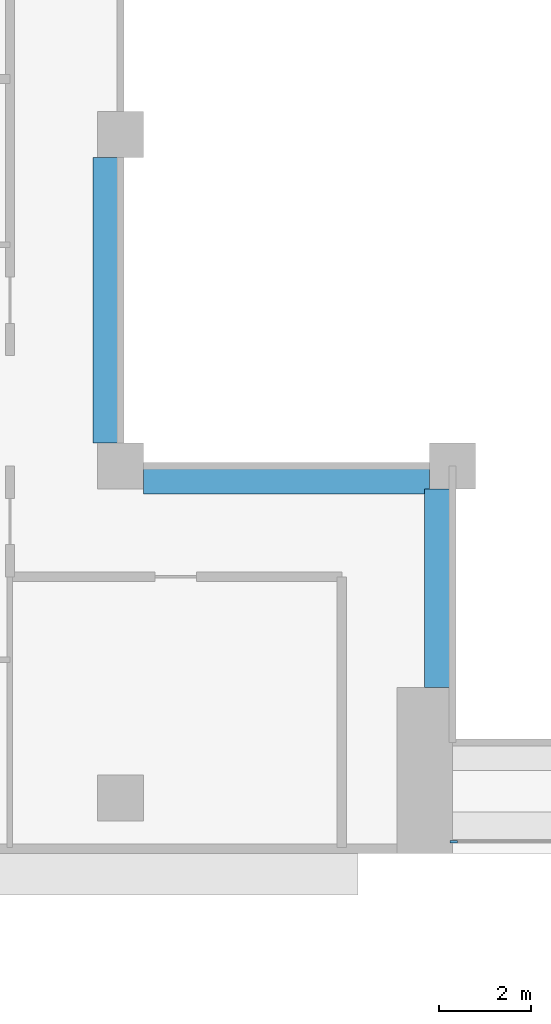
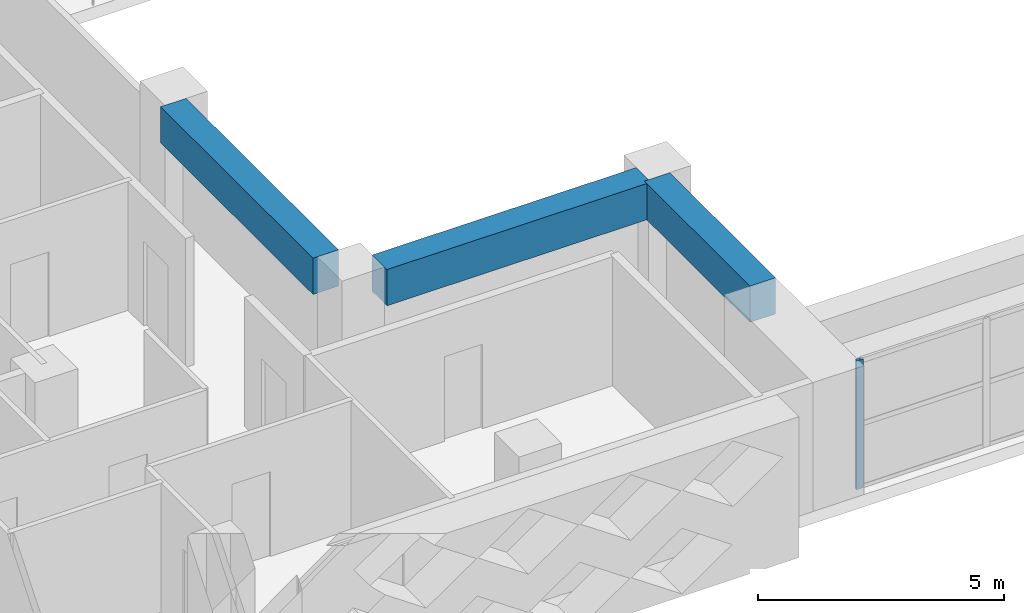
# One storey, part 2 of 19: 3 beams, 1 member, 1 element without a shape of its own.
"""IFC4 building model written with IfcOpenShell, lengths in metres."""

from ifc_helpers import new_model, si_unit, direction, frame, origin, origin_2d, place, context, subcontext, project, spatial, rectangle, extrude, source, transform, mapped, material, layer, layer_set, material_profile, profile_set, type_object, element, aggregate, save


model = new_model("IFC4")

# Units and contexts
model_context = context("Model", 3, precision=1e-05, world=origin(), true_north=direction((0.0, 1.0)))
body_context = subcontext(model_context, "Body", "Model", "MODEL_VIEW")
ifc_project = project(units=[si_unit("LENGTHUNIT", "METRE"), si_unit("AREAUNIT", "SQUARE_METRE"), si_unit("VOLUMEUNIT", "CUBIC_METRE"), si_unit("PLANEANGLEUNIT", "RADIAN"), si_unit("MASSUNIT", "GRAM", prefix="KILO")], contexts=[model_context])

# Site, building, storey
site_placement = place(None, origin())
site = spatial("IfcSite", under=ifc_project, at=site_placement, CompositionType="ELEMENT")
building_placement = place(site_placement, origin())
building = spatial("IfcBuilding", under=site, at=building_placement, Name="Saffron Iwan Residences", CompositionType="ELEMENT")
storey_placement = place(building_placement, frame((0.0, 0.0, 160.5)))
storey = spatial("IfcBuildingStorey", under=building, at=storey_placement, Name="L42", CompositionType="ELEMENT", Elevation=160.5)

# Beams
ifc_material_1 = material(Name="Concrete C50/60", Category="concrete")
ifc_material_profile_1 = material_profile(ifc_material_1, rectangle(XDim=0.60009765625, YDim=0.89990234375, at=origin_2d()), Name="RC 600x900")
ifc_profile_set_1 = profile_set([ifc_material_profile_1], Name="Concrete C50/60")
beam_type = type_object("IfcBeamType", Name="BEAM RC 600x900 C50/60 TOP 3200", PredefinedType="BEAM", material=ifc_profile_set_1)
shared_shape_1 = source(origin(), body_context, "Body", "SweptSolid", [
    extrude(rectangle(XDim=0.60009765625, YDim=0.89990234375, at=origin_2d()), origin(), (0.0, 0.0, 1.0), 4.300048828125),
])
beam_placement = place(storey_placement, frame((42.89990234375, 43.199951171875, 2.75), z_axis=(0.0, 1.0, 0.0), x_axis=(-1.0, 0.0, 0.0)))
element("IfcBeam", 1, at=beam_placement, inside=storey, type_object=beam_type, Name="Atrium edge beam", PredefinedType="BEAM", context=body_context, shape_type="MappedRepresentation", body=[
    mapped(shared_shape_1, transform((0.0, 0.0, 0.0))),
])
shared_shape_2 = source(origin(), body_context, "Body", "SweptSolid", [
    extrude(rectangle(XDim=0.60009765625, YDim=0.89990234375, at=origin_2d()), origin(), (0.0, 0.0, 1.0), 6.199951171875),
])
for number, where, z_axis, x_axis, name in (
    (2, (42.699951171875, 47.699951171875, 2.75), (-1.0, 0.0, 0.0), (0.0, -1.0, 0.0), "Atrium edge beam"),
    (3, (35.699951171875, 48.5, 2.75), (0.0, 1.0, 0.0), (-1.0, 0.0, 0.0), "Atrium edge beam"),
):
    element("IfcBeam", number, at=place(storey_placement, frame(where, z_axis=z_axis, x_axis=x_axis)), inside=storey, type_object=beam_type, Name=name, PredefinedType="BEAM", context=body_context, shape_type="MappedRepresentation", body=[
        mapped(shared_shape_2, transform((0.0, 0.0, 0.0))),
    ])

# Curtain wall, member
ifc_material_2 = material(Name="Clear glass, laminated double glazed", Category="glass")
ifc_layer = layer(ifc_material_2, 0.199951171875)
ifc_layer_set = layer_set([ifc_layer], Name="Clear glass, laminated double glazed")
curtain_wall_type = type_object("IfcCurtainWallType", Name="CW-B IWAN PORTAL", PredefinedType="NOTDEFINED", material=ifc_layer_set)
curtain_wall_placement = place(storey_placement, origin())
curtain_wall = element("IfcCurtainWall", 4, at=curtain_wall_placement, inside=storey, type_object=curtain_wall_type, Name="Iwan portal glazing L42.1", PredefinedType="NOTDEFINED")
ifc_material_3 = material(Name="Aluminium 6063-T6", Category="aluminium")
ifc_material_profile_2 = material_profile(ifc_material_3, rectangle(XDim=0.06005859375, YDim=0.159912109375, at=origin_2d()), Name="CW-B MULLION 60 x 160")
ifc_profile_set_2 = profile_set([ifc_material_profile_2], Name="Aluminium 6063-T6")
member_type = type_object("IfcMemberType", Name="CW-B MULLION 60 x 160", PredefinedType="MULLION", material=ifc_profile_set_2)
shared_shape_3 = source(origin(), body_context, "Body", "SweptSolid", [
    extrude(rectangle(XDim=0.06005859375, YDim=0.159912109375, at=origin_2d()), origin(), (0.0, 0.0, 1.0), 3.199951171875),
])
member_placement = place(storey_placement, frame((43.22998046875, 39.85009765625, 0.0), z_axis=(0.0, 0.0, 1.0), x_axis=(0.0, 1.0, 0.0)))
member = element("IfcMember", 5, at=member_placement, type_object=member_type, Name="CW-B mullion 1", PredefinedType="MULLION", context=body_context, shape_type="MappedRepresentation", body=[
    mapped(shared_shape_3, transform((0.0, 0.0, 0.0))),
])
aggregate(curtain_wall, [member])

save(model, "model.ifc")
